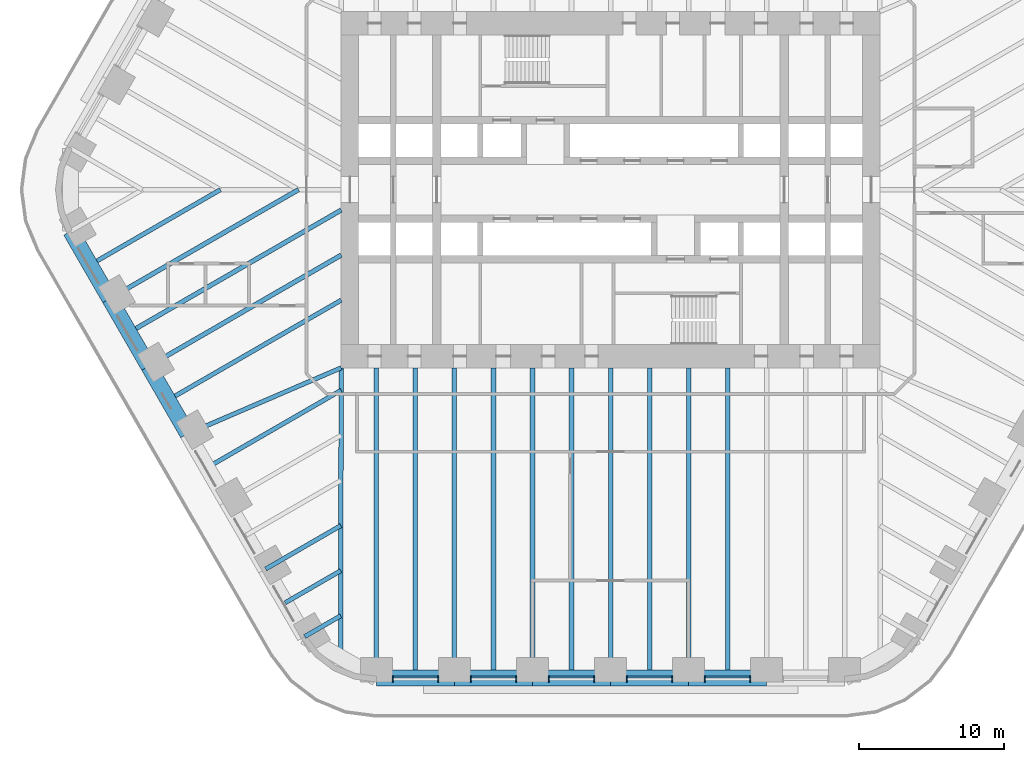
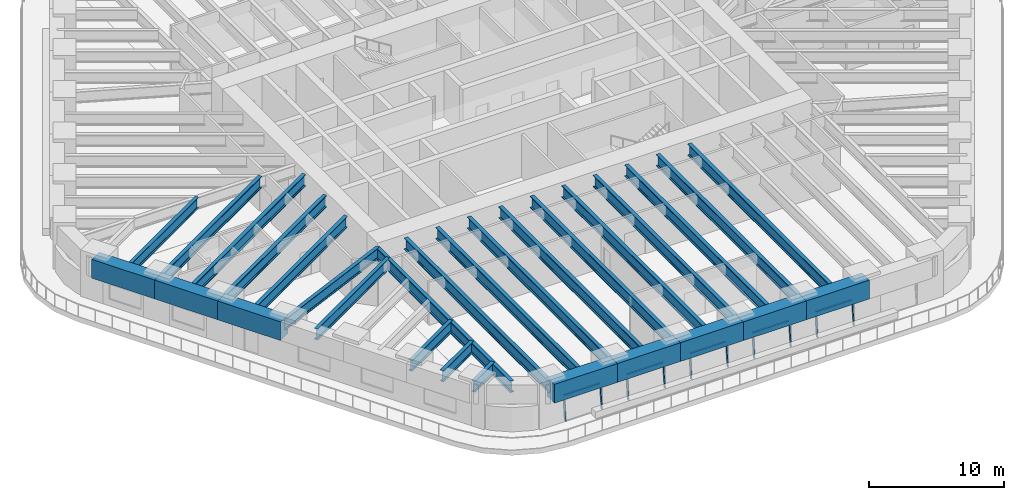
# One storey, part 2 of 16: 29 beams, 15 members, 5 elements without a shape of their own.
"""IFC4 building model written with IfcOpenShell, lengths in metres."""

import ifcopenshell
import ifcopenshell.guid

model = None  # the IFC model being written
_history = None  # IfcOwnerHistory: only IFC2X3 demands one
_inside = {}  # id of a spatial element -> (the spatial element, [elements in it])
_under = {}  # id of a project, library or spatial element -> (it, [spatial elements below it])
_declared = {}  # id of a project -> (the project, [libraries it declares])
_typed = {}  # id of a type object -> (the type object, [elements of that type])
_made_of = {}  # id of a material, layer set ... -> (it, [elements and type objects made of it])


def new_model(schema):
    """Start an empty IFC model of exactly this schema.

    Asked for "IFC4X3", IfcOpenShell would pick the latest addendum, in which some entities
    have other attributes; the version numbers below select the first issue.
    IFC2X3 requires an IfcOwnerHistory on every rooted entity: one is made here for all.
    """
    global model, _history
    if schema == "IFC4X3":
        model = ifcopenshell.file(schema_version=(4, 3, 0, 0))
    else:
        model = ifcopenshell.file(schema=schema)
    _inside.clear()
    _under.clear()
    _declared.clear()
    _typed.clear()
    _made_of.clear()
    _history = None
    if model.schema == "IFC2X3":
        org = make("IfcOrganization", Name="unknown")
        user = make(
            "IfcPersonAndOrganization",
            ThePerson=make("IfcPerson", FamilyName="unknown"),
            TheOrganization=org,
        )
        app = make(
            "IfcApplication",
            ApplicationDeveloper=org,
            Version="unknown",
            ApplicationFullName="unknown",
            ApplicationIdentifier="unknown",
        )
        _history = make(
            "IfcOwnerHistory",
            OwningUser=user,
            OwningApplication=app,
            ChangeAction="ADDED",
            CreationDate=0,
        )
    return model


def make(cls, **values):
    """One entity of the class cls with the attributes given. An attribute that is None is left unset."""
    return model.create_entity(
        cls, **{name: value for name, value in values.items() if value is not None}
    )


def rooted(cls, **values):
    """An entity with a GlobalId (a new one), such as an element, a storey or a relation."""
    return make(cls, GlobalId=ifcopenshell.guid.new(), OwnerHistory=_history, **values)


def si_unit(unit_type, name, prefix=None):
    """IfcSIUnit, for example si_unit("LENGTHUNIT", "METRE", prefix="MILLI")."""
    return make("IfcSIUnit", UnitType=unit_type, Prefix=prefix, Name=name)


def assignment(units):
    """IfcUnitAssignment: the units of a project."""
    return None if units is None else make("IfcUnitAssignment", Units=units)


def point(xyz):
    """IfcCartesianPoint."""
    return None if xyz is None else make("IfcCartesianPoint", Coordinates=xyz)


def direction(xyz):
    """IfcDirection."""
    return None if xyz is None else make("IfcDirection", DirectionRatios=xyz)


def frame(location, z_axis=None, x_axis=None):
    """IfcAxis2Placement3D, a coordinate frame: its origin and axes. An axis left out is left unset."""
    return make(
        "IfcAxis2Placement3D",
        Location=point(location),
        Axis=direction(z_axis),
        RefDirection=direction(x_axis),
    )


def frame_2d(location, x_axis=None):
    """IfcAxis2Placement2D, a coordinate frame in the plane: its origin and x axis."""
    return make(
        "IfcAxis2Placement2D", Location=point(location), RefDirection=direction(x_axis)
    )


def origin():
    """The frame at (0, 0, 0) with its axes left unset."""
    return frame((0.0, 0.0, 0.0))


def origin_2d():
    """The frame at (0, 0) in the plane with its x axis left unset."""
    return frame_2d((0.0, 0.0))


def place(relative_to, where):
    """IfcLocalPlacement: puts the frame where relative to a parent placement (None: the world)."""
    return make(
        "IfcLocalPlacement", PlacementRelTo=relative_to, RelativePlacement=where
    )


def context(
    kind, dimensions, precision=None, world=None, true_north=None, identifier=None
):
    """IfcGeometricRepresentationContext, for example the 3D "Model" context."""
    return make(
        "IfcGeometricRepresentationContext",
        ContextIdentifier=identifier,
        ContextType=kind,
        CoordinateSpaceDimension=dimensions,
        Precision=precision,
        WorldCoordinateSystem=world,
        TrueNorth=true_north,
    )


def subcontext(parent, identifier, kind, view, scale=None):
    """IfcGeometricRepresentationSubContext, for example "Body" below "Model"."""
    return make(
        "IfcGeometricRepresentationSubContext",
        ContextIdentifier=identifier,
        ContextType=kind,
        ParentContext=parent,
        TargetScale=scale,
        TargetView=view,
    )


def project(units=None, contexts=None):
    """IfcProject with its units and contexts."""
    return rooted(
        "IfcProject",
        Name="project",
        RepresentationContexts=contexts,
        UnitsInContext=assignment(units),
    )


def spatial(cls, under=None, at=None, **own):
    """A site, building, storey or space (cls), placed at a placement, below another one or the project."""
    s = rooted(cls, ObjectPlacement=at, **own)
    if under is not None:
        _under.setdefault(under.id(), (under, []))[1].append(s)
    return s


def profile(cls, at=None, kind="AREA", **sizes):
    """A parametric profile (cls). Its sizes go by their IFC names, for example OverallWidth=200.0."""
    return make(cls, ProfileType=kind, Position=at, **sizes)


def rectangle(**sizes):
    """IfcRectangleProfileDef."""
    return profile("IfcRectangleProfileDef", **sizes)


def i_section(**sizes):
    """IfcIShapeProfileDef."""
    return profile("IfcIShapeProfileDef", **sizes)


def extrude(swept, where, along, depth):
    """IfcExtrudedAreaSolid: the profile swept, set in the frame where, extruded along a direction by depth."""
    return make(
        "IfcExtrudedAreaSolid",
        SweptArea=swept,
        Position=where,
        ExtrudedDirection=direction(along),
        Depth=depth,
    )


def shape(context_of_items, identifier, shape_type, items):
    """IfcShapeRepresentation: the items that make up one representation, for example the "Body"."""
    return make(
        "IfcShapeRepresentation",
        ContextOfItems=context_of_items,
        RepresentationIdentifier=identifier,
        RepresentationType=shape_type,
        Items=items,
    )


def material(Name=None, Category=None):
    """IfcMaterial."""
    return make("IfcMaterial", Name=Name, Category=Category)


def material_profile(
    of_material, cross_section, Name=None, Category=None, Priority=None
):
    """IfcMaterialProfile: a cross section and its material."""
    return make(
        "IfcMaterialProfile",
        Name=Name,
        Material=of_material,
        Profile=cross_section,
        Priority=Priority,
        Category=Category,
    )


def profile_set(profiles, Name=None, composite=None):
    """IfcMaterialProfileSet."""
    return make(
        "IfcMaterialProfileSet",
        Name=Name,
        MaterialProfiles=profiles,
        CompositeProfile=composite,
    )


def made_of(thing, what):
    """Note that an element or type object is made of a material, layer set ...; save() writes the relation."""
    if what is not None:
        _made_of.setdefault(what.id(), (what, []))[1].append(thing)
    return thing


def type_object(cls, material=None, **own):
    """A type object (cls), such as IfcWallType, which elements share."""
    return made_of(rooted(cls, **own), material)


def element(
    cls,
    number,
    at=None,
    inside=None,
    cuts=None,
    type_object=None,
    material=None,
    context=None,
    identifier="Body",
    shape_type=None,
    held_by="IfcProductDefinitionShape",
    body=None,
    shapes=None,
    **own,
):
    """One element of the class cls, such as IfcWall. Its Tag is "e" and its number.

    at: its placement. inside: the storey or other place that contains it. cuts: it is an
    opening in that element (IfcRelVoidsElement). A single representation is given by context,
    identifier, shape_type and body (its items); several are given by shapes. held_by: the class
    of the entity that holds the representations. save() writes the other relations.
    """
    e = rooted(cls, Tag="e%d" % number, ObjectPlacement=at, **own)
    if body is not None:
        shapes = [shape(context, identifier, shape_type, body)]
    if shapes is not None:
        e.Representation = make(held_by, Representations=shapes)
    if inside is not None:
        _inside.setdefault(inside.id(), (inside, []))[1].append(e)
    if cuts is not None:
        rooted(
            "IfcRelVoidsElement", RelatingBuildingElement=cuts, RelatedOpeningElement=e
        )
    if type_object is not None:
        _typed.setdefault(type_object.id(), (type_object, []))[1].append(e)
    return made_of(e, material)


def aggregate(whole, parts):
    """IfcRelAggregates: a whole, such as a stair, and the parts it consists of."""
    return rooted("IfcRelAggregates", RelatingObject=whole, RelatedObjects=parts)


def save(model, path):
    """Write the relations noted so far, then the file.

    IfcRelAggregates (storeys below a building ...), IfcRelContainedInSpatialStructure (elements
    in a storey), IfcRelDefinesByType, IfcRelAssociatesMaterial and IfcRelDeclares: one each for
    every whole, place, type object, material and project.
    """
    for whole, parts in _under.values():
        aggregate(whole, parts)
    for where, things in _inside.values():
        rooted(
            "IfcRelContainedInSpatialStructure",
            RelatedElements=things,
            RelatingStructure=where,
        )
    for kind, things in _typed.values():
        rooted("IfcRelDefinesByType", RelatedObjects=things, RelatingType=kind)
    for what, things in _made_of.values():
        rooted("IfcRelAssociatesMaterial", RelatedObjects=things, RelatingMaterial=what)
    for by, libraries in _declared.values():
        rooted("IfcRelDeclares", RelatingContext=by, RelatedDefinitions=libraries)
    model.write(path)


model = new_model("IFC4")

# Units and contexts
model_context = context("Model", 3, precision=1e-05, world=origin(), true_north=direction((0.0, 1.0)))
body_context = subcontext(model_context, "Body", "Model", "MODEL_VIEW")
ifc_project = project(units=[si_unit("LENGTHUNIT", "METRE"), si_unit("AREAUNIT", "SQUARE_METRE"), si_unit("VOLUMEUNIT", "CUBIC_METRE"), si_unit("PLANEANGLEUNIT", "RADIAN"), si_unit("MASSUNIT", "GRAM", prefix="KILO")], contexts=[model_context])

# Site, building, storey
site_placement = place(None, origin())
site = spatial("IfcSite", under=ifc_project, at=site_placement, CompositionType="ELEMENT")
building_placement = place(site_placement, origin())
building = spatial("IfcBuilding", under=site, at=building_placement, Name="Tarfa Lantern Tower", CompositionType="ELEMENT")
storey_placement = place(building_placement, frame((0.0, 0.0, 103.300048828125)))
storey = spatial("IfcBuildingStorey", under=building, at=storey_placement, Name="L23", CompositionType="ELEMENT", Elevation=103.300048828125)

# Curtain wall, members
ifc_material_1 = material(Name="Aluminium framed curtain wall", Category="aluminium")
curtain_wall_type = type_object("IfcCurtainWallType", Name="CW1 CANTED GLAZING LOW ZONE 2200", PredefinedType="USERDEFINED", material=ifc_material_1)
curtain_wall_1_placement = place(storey_placement, origin())
curtain_wall_1 = element("IfcCurtainWall", 1, at=curtain_wall_1_placement, inside=storey, type_object=curtain_wall_type, Name="CW1 S L23", ObjectType="CURTAIN WALL", PredefinedType="USERDEFINED")
ifc_material_2 = material(Name="Aluminium mullion", Category="aluminium")
ifc_material_profile_1 = material_profile(ifc_material_2, rectangle(XDim=0.06494140625, YDim=0.199951171875, at=origin_2d()), Name="AL MULLION 65x200")
ifc_profile_set_1 = profile_set([ifc_material_profile_1], Name="Aluminium mullion")
member_type_1 = type_object("IfcMemberType", Name="CWM1 MULLION 65x200", PredefinedType="MULLION", material=ifc_profile_set_1)
member_1_placement = place(storey_placement, frame((-15.033203125, -33.89990234375, 0.0), z_axis=(0.0, 0.112912162136, 0.99360497364), x_axis=(-1.0, 0.0, 0.0)))
member_1 = element("IfcMember", 2, at=member_1_placement, type_object=member_type_1, Name="CW1 mullion 1", PredefinedType="MULLION", context=body_context, shape_type="SweptSolid", body=[
    extrude(rectangle(XDim=0.06494140625, YDim=0.199951171875, at=origin_2d()), origin(), (0.0, 0.0, 1.0), 2.214111328125),
])
member_2_placement = place(storey_placement, frame((-11.90966796875, -33.89990234375, 0.0), z_axis=(0.0, 0.112912162136, 0.99360497364), x_axis=(-1.0, 0.0, 0.0)))
member_2 = element("IfcMember", 3, at=member_2_placement, type_object=member_type_1, Name="CW1 mullion 2", PredefinedType="MULLION", context=body_context, shape_type="SweptSolid", body=[
    extrude(rectangle(XDim=0.06494140625, YDim=0.199951171875, at=origin_2d()), origin(), (0.0, 0.0, 1.0), 2.214111328125),
])

curtain_wall_2_placement = place(storey_placement, origin())
curtain_wall_2 = element("IfcCurtainWall", 4, at=curtain_wall_2_placement, inside=storey, type_object=curtain_wall_type, Name="CW1 S L23", ObjectType="CURTAIN WALL", PredefinedType="USERDEFINED")
member_3_placement = place(storey_placement, frame((-9.644775390625, -33.89990234375, 0.0), z_axis=(0.0, 0.112912162136, 0.99360497364), x_axis=(-1.0, 0.0, 0.0)))
member_3 = element("IfcMember", 5, at=member_3_placement, type_object=member_type_1, Name="CW1 mullion 1", PredefinedType="MULLION", context=body_context, shape_type="SweptSolid", body=[
    extrude(rectangle(XDim=0.06494140625, YDim=0.199951171875, at=origin_2d()), origin(), (0.0, 0.0, 1.0), 2.214111328125),
])
member_4_placement = place(storey_placement, frame((-6.52099609375, -33.89990234375, 0.0), z_axis=(0.0, 0.112912162136, 0.99360497364), x_axis=(-1.0, 0.0, 0.0)))
member_4 = element("IfcMember", 6, at=member_4_placement, type_object=member_type_1, Name="CW1 mullion 2", PredefinedType="MULLION", context=body_context, shape_type="SweptSolid", body=[
    extrude(rectangle(XDim=0.06494140625, YDim=0.199951171875, at=origin_2d()), origin(), (0.0, 0.0, 1.0), 2.214111328125),
])

curtain_wall_3_placement = place(storey_placement, origin())
curtain_wall_3 = element("IfcCurtainWall", 7, at=curtain_wall_3_placement, inside=storey, type_object=curtain_wall_type, Name="CW1 S L23", ObjectType="CURTAIN WALL", PredefinedType="USERDEFINED")
member_5_placement = place(storey_placement, frame((-4.256103515625, -33.89990234375, 0.0), z_axis=(0.0, 0.112912162136, 0.99360497364), x_axis=(-1.0, 0.0, 0.0)))
member_5 = element("IfcMember", 8, at=member_5_placement, type_object=member_type_1, Name="CW1 mullion 1", PredefinedType="MULLION", context=body_context, shape_type="SweptSolid", body=[
    extrude(rectangle(XDim=0.06494140625, YDim=0.199951171875, at=origin_2d()), origin(), (0.0, 0.0, 1.0), 2.214111328125),
])
member_6_placement = place(storey_placement, frame((-1.132568359375, -33.89990234375, 0.0), z_axis=(0.0, 0.112912162136, 0.99360497364), x_axis=(-1.0, 0.0, 0.0)))
member_6 = element("IfcMember", 9, at=member_6_placement, type_object=member_type_1, Name="CW1 mullion 2", PredefinedType="MULLION", context=body_context, shape_type="SweptSolid", body=[
    extrude(rectangle(XDim=0.06494140625, YDim=0.199951171875, at=origin_2d()), origin(), (0.0, 0.0, 1.0), 2.214111328125),
])

curtain_wall_4_placement = place(storey_placement, origin())
curtain_wall_4 = element("IfcCurtainWall", 10, at=curtain_wall_4_placement, inside=storey, type_object=curtain_wall_type, Name="CW1 S L23", ObjectType="CURTAIN WALL", PredefinedType="USERDEFINED")
member_7_placement = place(storey_placement, frame((1.132568359375, -33.89990234375, 0.0), z_axis=(0.0, 0.112912162136, 0.99360497364), x_axis=(-1.0, 0.0, 0.0)))
member_7 = element("IfcMember", 11, at=member_7_placement, type_object=member_type_1, Name="CW1 mullion 1", PredefinedType="MULLION", context=body_context, shape_type="SweptSolid", body=[
    extrude(rectangle(XDim=0.06494140625, YDim=0.199951171875, at=origin_2d()), origin(), (0.0, 0.0, 1.0), 2.214111328125),
])
member_8_placement = place(storey_placement, frame((4.256103515625, -33.89990234375, 0.0), z_axis=(0.0, 0.112912162136, 0.99360497364), x_axis=(-1.0, 0.0, 0.0)))
member_8 = element("IfcMember", 12, at=member_8_placement, type_object=member_type_1, Name="CW1 mullion 2", PredefinedType="MULLION", context=body_context, shape_type="SweptSolid", body=[
    extrude(rectangle(XDim=0.06494140625, YDim=0.199951171875, at=origin_2d()), origin(), (0.0, 0.0, 1.0), 2.214111328125),
])

curtain_wall_5_placement = place(storey_placement, origin())
curtain_wall_5 = element("IfcCurtainWall", 13, at=curtain_wall_5_placement, inside=storey, type_object=curtain_wall_type, Name="CW1 S L23", ObjectType="CURTAIN WALL", PredefinedType="USERDEFINED")
member_9_placement = place(storey_placement, frame((6.52099609375, -33.89990234375, 0.0), z_axis=(0.0, 0.112912162136, 0.99360497364), x_axis=(-1.0, 0.0, 0.0)))
member_9 = element("IfcMember", 14, at=member_9_placement, type_object=member_type_1, Name="CW1 mullion 1", PredefinedType="MULLION", context=body_context, shape_type="SweptSolid", body=[
    extrude(rectangle(XDim=0.06494140625, YDim=0.199951171875, at=origin_2d()), origin(), (0.0, 0.0, 1.0), 2.214111328125),
])
member_10_placement = place(storey_placement, frame((9.644775390625, -33.89990234375, 0.0), z_axis=(0.0, 0.112912162136, 0.99360497364), x_axis=(-1.0, 0.0, 0.0)))
member_10 = element("IfcMember", 15, at=member_10_placement, type_object=member_type_1, Name="CW1 mullion 2", PredefinedType="MULLION", context=body_context, shape_type="SweptSolid", body=[
    extrude(rectangle(XDim=0.06494140625, YDim=0.199951171875, at=origin_2d()), origin(), (0.0, 0.0, 1.0), 2.214111328125),
])

# Member
ifc_material_3 = material(Name="Aluminium transom", Category="aluminium")
ifc_material_profile_2 = material_profile(ifc_material_3, rectangle(XDim=0.14990234375, YDim=0.06494140625, at=origin_2d()), Name="AL TRANSOM 150x65")
ifc_profile_set_2 = profile_set([ifc_material_profile_2], Name="Aluminium transom")
member_type_2 = type_object("IfcMemberType", Name="CWT1 TRANSOM 150x65", PredefinedType="USERDEFINED", material=ifc_profile_set_2)
member_11_placement = place(storey_placement, frame((-15.000732421875, -33.65380859375, 2.16748046875), z_axis=(1.0, 0.0, 0.0), x_axis=(0.0, 1.0, 0.0)))
member_11 = element("IfcMember", 16, at=member_11_placement, type_object=member_type_2, Name="CW1 transom 1.2", ObjectType="TRANSOM", PredefinedType="USERDEFINED", context=body_context, shape_type="SweptSolid", body=[
    extrude(rectangle(XDim=0.14990234375, YDim=0.06494140625, at=origin_2d()), origin(), (0.0, 0.0, 1.0), 3.05859375),
])

aggregate(curtain_wall_1, [member_1, member_2, member_11])

member_12_placement = place(storey_placement, frame((-9.6123046875, -33.65380859375, 2.16748046875), z_axis=(1.0, 0.0, 0.0), x_axis=(0.0, 1.0, 0.0)))
member_12 = element("IfcMember", 17, at=member_12_placement, type_object=member_type_2, Name="CW1 transom 1.2", ObjectType="TRANSOM", PredefinedType="USERDEFINED", context=body_context, shape_type="SweptSolid", body=[
    extrude(rectangle(XDim=0.14990234375, YDim=0.06494140625, at=origin_2d()), origin(), (0.0, 0.0, 1.0), 3.05859375),
])

aggregate(curtain_wall_2, [member_3, member_4, member_12])

member_13_placement = place(storey_placement, frame((-4.2236328125, -33.65380859375, 2.16748046875), z_axis=(1.0, 0.0, 0.0), x_axis=(0.0, 1.0, 0.0)))
member_13 = element("IfcMember", 18, at=member_13_placement, type_object=member_type_2, Name="CW1 transom 1.2", ObjectType="TRANSOM", PredefinedType="USERDEFINED", context=body_context, shape_type="SweptSolid", body=[
    extrude(rectangle(XDim=0.14990234375, YDim=0.06494140625, at=origin_2d()), origin(), (0.0, 0.0, 1.0), 3.05859375),
])

aggregate(curtain_wall_3, [member_5, member_6, member_13])

member_14_placement = place(storey_placement, frame((1.1650390625, -33.65380859375, 2.16748046875), z_axis=(1.0, 0.0, 0.0), x_axis=(0.0, 1.0, 0.0)))
member_14 = element("IfcMember", 19, at=member_14_placement, type_object=member_type_2, Name="CW1 transom 1.2", ObjectType="TRANSOM", PredefinedType="USERDEFINED", context=body_context, shape_type="SweptSolid", body=[
    extrude(rectangle(XDim=0.14990234375, YDim=0.06494140625, at=origin_2d()), origin(), (0.0, 0.0, 1.0), 3.05859375),
])

aggregate(curtain_wall_4, [member_7, member_8, member_14])

member_15_placement = place(storey_placement, frame((6.5537109375, -33.65380859375, 2.16748046875), z_axis=(1.0, 0.0, 0.0), x_axis=(0.0, 1.0, 0.0)))
member_15 = element("IfcMember", 20, at=member_15_placement, type_object=member_type_2, Name="CW1 transom 1.2", ObjectType="TRANSOM", PredefinedType="USERDEFINED", context=body_context, shape_type="SweptSolid", body=[
    extrude(rectangle(XDim=0.14990234375, YDim=0.06494140625, at=origin_2d()), origin(), (0.0, 0.0, 1.0), 3.05859375),
])

aggregate(curtain_wall_5, [member_9, member_10, member_15])

# Beams
ifc_material_4 = material(Name="Concrete C80/95", Category="concrete")
ifc_material_profile_3 = material_profile(ifc_material_4, rectangle(XDim=1.10009765625, YDim=1.699951171875, at=origin_2d()), Name="RC 1100x1700")
ifc_profile_set_3 = profile_set([ifc_material_profile_3], Name="Concrete C80/95")
beam_type_1 = type_object("IfcBeamType", Name="RB1 RC 1100x1700", PredefinedType="BEAM", material=ifc_profile_set_3)
beam_1_placement = place(storey_placement, frame((-37.285400390625, -2.860107421875, 3.050048828125), z_axis=(0.500017906299, -0.866015065331, 0.0), x_axis=(0.866015065331, 0.500017906299, 0.0)))
element("IfcBeam", 21, at=beam_1_placement, inside=storey, type_object=beam_type_1, Name="Edge beam SW0", PredefinedType="BEAM", context=body_context, shape_type="SweptSolid", body=[
    extrude(rectangle(XDim=1.10009765625, YDim=1.699951171875, at=origin_2d()), origin(), (0.0, 0.0, 1.0), 5.388427734375),
])
for number, where, z_axis, x_axis, name in (
    (22, (-34.591064453125, -7.526611328125, 3.050048828125), (0.499998287579, -0.866026392449, 0.0), (0.866026392449, 0.499998287579, 0.0), "Edge beam SW1"),
    (23, (-31.896728515625, -12.193359375, 3.050048828125), (0.499998287579, -0.866026392449, 0.0), (0.866026392449, 0.499998287579, 0.0), "Edge beam SW2"),
    (24, (-16.165771484375, -33.719970703125, 3.050048828125), (1.0, 0.0, 0.0), (0.0, 1.0, 0.0), "Edge beam S0"),
):
    element("IfcBeam", number, at=place(storey_placement, frame(where, z_axis=z_axis, x_axis=x_axis)), inside=storey, type_object=beam_type_1, Name=name, PredefinedType="BEAM", context=body_context, shape_type="SweptSolid", body=[
        extrude(rectangle(XDim=1.10009765625, YDim=1.699951171875, at=origin_2d()), origin(), (0.0, 0.0, 1.0), 5.388671875),
    ])
beam_2_placement = place(storey_placement, frame((-10.777099609375, -33.719970703125, 3.050048828125), z_axis=(1.0, 0.0, 0.0), x_axis=(0.0, 1.0, 0.0)))
element("IfcBeam", 25, at=beam_2_placement, inside=storey, type_object=beam_type_1, Name="Edge beam S1", PredefinedType="BEAM", context=body_context, shape_type="SweptSolid", body=[
    extrude(rectangle(XDim=1.10009765625, YDim=1.699951171875, at=origin_2d()), origin(), (0.0, 0.0, 1.0), 5.388427734375),
])
for number, where, z_axis, x_axis, name in (
    (26, (-5.388671875, -33.719970703125, 3.050048828125), (1.0, 0.0, 0.0), (0.0, 1.0, 0.0), "Edge beam S2"),
    (27, (0.0, -33.719970703125, 3.050048828125), (1.0, 0.0, 0.0), (0.0, 1.0, 0.0), "Edge beam S3"),
):
    element("IfcBeam", number, at=place(storey_placement, frame(where, z_axis=z_axis, x_axis=x_axis)), inside=storey, type_object=beam_type_1, Name=name, PredefinedType="BEAM", context=body_context, shape_type="SweptSolid", body=[
        extrude(rectangle(XDim=1.10009765625, YDim=1.699951171875, at=origin_2d()), origin(), (0.0, 0.0, 1.0), 5.388671875),
    ])
beam_3_placement = place(storey_placement, frame((5.388671875, -33.719970703125, 3.050048828125), z_axis=(1.0, 0.0, 0.0), x_axis=(0.0, 1.0, 0.0)))
element("IfcBeam", 28, at=beam_3_placement, inside=storey, type_object=beam_type_1, Name="Edge beam S4", PredefinedType="BEAM", context=body_context, shape_type="SweptSolid", body=[
    extrude(rectangle(XDim=1.10009765625, YDim=1.699951171875, at=origin_2d()), origin(), (0.0, 0.0, 1.0), 5.388427734375),
])
ifc_material_5 = material(Name="Steel S460M", Category="steel")
ifc_material_profile_4 = material_profile(ifc_material_5, i_section(OverallWidth=0.302001953125, OverallDepth=1.008056640625, WebThickness=0.02099609375, FlangeThickness=0.0400390625, FilletRadius=0.030029296875, at=origin_2d()), Name="UB1016x305x349")
ifc_profile_set_4 = profile_set([ifc_material_profile_4], Name="Steel S460M")
beam_type_2 = type_object("IfcBeamType", Name="UB1016x305x349", PredefinedType="BEAM", material=ifc_profile_set_4)
beam_4_placement = place(storey_placement, frame((-29.202392578125, -16.860107421875, 3.39599609375), z_axis=(0.918635483867, 0.395106122175, 0.0), x_axis=(-0.395106122175, 0.918635483867, 0.0)))
element("IfcBeam", 29, at=beam_4_placement, inside=storey, type_object=beam_type_2, Name="Floor beam SW3", PredefinedType="BEAM", context=body_context, shape_type="SweptSolid", body=[
    extrude(i_section(OverallWidth=0.302001953125, OverallDepth=1.008056640625, WebThickness=0.02099609375, FlangeThickness=0.0400390625, FilletRadius=0.030029296875, at=origin_2d()), origin(), (0.0, 0.0, 1.0), 11.541259765625),
])
beam_5_placement = place(storey_placement, frame((-23.813720703125, -26.193359375, 3.39599609375), z_axis=(0.866015997389, 0.500016292001, 0.0), x_axis=(-0.500016292001, 0.866015997389, 0.0)))
element("IfcBeam", 30, at=beam_5_placement, inside=storey, type_object=beam_type_2, Name="Floor beam SW5", PredefinedType="BEAM", context=body_context, shape_type="SweptSolid", body=[
    extrude(i_section(OverallWidth=0.302001953125, OverallDepth=1.008056640625, WebThickness=0.02099609375, FlangeThickness=0.0400390625, FilletRadius=0.030029296875, at=origin_2d()), origin(), (0.0, 0.0, 1.0), 5.993408203125),
])
beam_6_placement = place(storey_placement, frame((-21.119384765625, -30.860107421875, 3.39599609375), z_axis=(0.866012580594, 0.500022209759, 0.0), x_axis=(-0.500022209759, 0.866012580594, 0.0)))
element("IfcBeam", 31, at=beam_6_placement, inside=storey, type_object=beam_type_2, Name="Floor beam SW6", PredefinedType="BEAM", context=body_context, shape_type="SweptSolid", body=[
    extrude(i_section(OverallWidth=0.302001953125, OverallDepth=1.008056640625, WebThickness=0.02099609375, FlangeThickness=0.0400390625, FilletRadius=0.030029296875, at=origin_2d()), origin(), (0.0, 0.0, 1.0), 2.866943359375),
])
beam_7_placement = place(storey_placement, frame((-35.938232421875, -5.193359375, 3.39599609375), z_axis=(0.866024317969, 0.500001880682, 0.0), x_axis=(-0.500001880682, 0.866024317969, 0.0)))
element("IfcBeam", 32, at=beam_7_placement, inside=storey, type_object=beam_type_2, Name="Floor beam SW0M", PredefinedType="BEAM", context=body_context, shape_type="SweptSolid", body=[
    extrude(i_section(OverallWidth=0.302001953125, OverallDepth=1.008056640625, WebThickness=0.02099609375, FlangeThickness=0.0400390625, FilletRadius=0.030029296875, at=origin_2d()), origin(), (0.0, 0.0, 1.0), 10.38671875),
])
beam_8_placement = place(storey_placement, frame((-30.549560546875, -14.526611328125, 3.39599609375), z_axis=(0.866028536827, 0.499994573371, 0.0), x_axis=(-0.499994573371, 0.866028536827, 0.0)))
element("IfcBeam", 33, at=beam_8_placement, inside=storey, type_object=beam_type_2, Name="Floor beam SW2M", PredefinedType="BEAM", context=body_context, shape_type="SweptSolid", body=[
    extrude(i_section(OverallWidth=0.302001953125, OverallDepth=1.008056640625, WebThickness=0.02099609375, FlangeThickness=0.0400390625, FilletRadius=0.030029296875, at=origin_2d()), origin(), (0.0, 0.0, 1.0), 13.798095703125),
])
beam_9_placement = place(storey_placement, frame((-27.855224609375, -19.193359375, 3.39599609375), z_axis=(0.866028034017, 0.499995444275, 0.0), x_axis=(-0.499995444275, 0.866028034017, 0.0)))
element("IfcBeam", 34, at=beam_9_placement, inside=storey, type_object=beam_type_2, Name="Floor beam SW3M", PredefinedType="BEAM", context=body_context, shape_type="SweptSolid", body=[
    extrude(i_section(OverallWidth=0.302001953125, OverallDepth=1.008056640625, WebThickness=0.02099609375, FlangeThickness=0.0400390625, FilletRadius=0.030029296875, at=origin_2d()), origin(), (0.0, 0.0, 1.0), 10.68310546875),
])
beam_10_placement = place(storey_placement, frame((-22.466552734375, -28.526611328125, 3.39599609375), z_axis=(0.866026823135, 0.499997541604, 0.0), x_axis=(-0.499997541604, 0.866026823135, 0.0)))
element("IfcBeam", 35, at=beam_10_placement, inside=storey, type_object=beam_type_2, Name="Floor beam SW5M", PredefinedType="BEAM", context=body_context, shape_type="SweptSolid", body=[
    extrude(i_section(OverallWidth=0.302001953125, OverallDepth=1.008056640625, WebThickness=0.02099609375, FlangeThickness=0.0400390625, FilletRadius=0.030029296875, at=origin_2d()), origin(), (0.0, 0.0, 1.0), 4.43017578125),
])
ifc_material_profile_5 = material_profile(ifc_material_5, i_section(OverallWidth=0.314208984375, OverallDepth=1.055908203125, WebThickness=0.035888671875, FlangeThickness=0.06396484375, FilletRadius=0.030029296875, at=origin_2d()), Name="UB1016x305x584")
ifc_profile_set_5 = profile_set([ifc_material_profile_5], Name="Steel S460M")
beam_type_3 = type_object("IfcBeamType", Name="UB1016x305x584", PredefinedType="BEAM", material=ifc_profile_set_5)
beam_11_placement = place(storey_placement, frame((-18.60009765625, -12.300048828125, 3.3720703125), z_axis=(-0.00212508222, -0.99999774201, 0.0), x_axis=(0.99999774201, -0.00212508222, 0.0)))
element("IfcBeam", 36, at=beam_11_placement, inside=storey, type_object=beam_type_3, Name="Hip girder SW", PredefinedType="BEAM", context=body_context, shape_type="SweptSolid", body=[
    extrude(i_section(OverallWidth=0.314208984375, OverallDepth=1.055908203125, WebThickness=0.035888671875, FlangeThickness=0.06396484375, FilletRadius=0.030029296875, at=origin_2d()), origin(), (0.0, 0.0, 1.0), 19.989990234375),
])
beam_12_placement = place(storey_placement, frame((-34.591064453125, -7.526611328125, 3.3720703125), z_axis=(0.86602785945, 0.499995746638, 0.0), x_axis=(-0.499995746638, 0.86602785945, 0.0)))
element("IfcBeam", 37, at=beam_12_placement, inside=storey, type_object=beam_type_3, Name="Floor beam SW1", PredefinedType="BEAM", context=body_context, shape_type="SweptSolid", body=[
    extrude(i_section(OverallWidth=0.314208984375, OverallDepth=1.055908203125, WebThickness=0.035888671875, FlangeThickness=0.06396484375, FilletRadius=0.030029296875, at=origin_2d()), origin(), (0.0, 0.0, 1.0), 15.053466796875),
])
beam_13_placement = place(storey_placement, frame((-31.896728515625, -12.193359375, 3.3720703125), z_axis=(0.866026971665, 0.499997284341, 0.0), x_axis=(-0.499997284341, 0.866026971665, 0.0)))
element("IfcBeam", 38, at=beam_13_placement, inside=storey, type_object=beam_type_3, Name="Floor beam SW2", PredefinedType="BEAM", context=body_context, shape_type="SweptSolid", body=[
    extrude(i_section(OverallWidth=0.314208984375, OverallDepth=1.055908203125, WebThickness=0.035888671875, FlangeThickness=0.06396484375, FilletRadius=0.030029296875, at=origin_2d()), origin(), (0.0, 0.0, 1.0), 15.353515625),
])
for number, where, z_axis, x_axis, name in (
    (39, (-16.165771484375, -33.719970703125, 3.3720703125), (0.0, 1.0, 0.0), (-1.0, 0.0, 0.0), "Floor beam S0"),
    (40, (-10.777099609375, -33.719970703125, 3.3720703125), (0.0, 1.0, 0.0), (-1.0, 0.0, 0.0), "Floor beam S1"),
    (41, (-5.388671875, -33.719970703125, 3.3720703125), (0.0, 1.0, 0.0), (-1.0, 0.0, 0.0), "Floor beam S2"),
    (42, (0.0, -33.719970703125, 3.3720703125), (0.0, 1.0, 0.0), (-1.0, 0.0, 0.0), "Floor beam S3"),
    (43, (5.388671875, -33.719970703125, 3.3720703125), (0.0, 1.0, 0.0), (-1.0, 0.0, 0.0), "Floor beam S4"),
):
    element("IfcBeam", number, at=place(storey_placement, frame(where, z_axis=z_axis, x_axis=x_axis)), inside=storey, type_object=beam_type_3, Name=name, PredefinedType="BEAM", context=body_context, shape_type="SweptSolid", body=[
        extrude(i_section(OverallWidth=0.314208984375, OverallDepth=1.055908203125, WebThickness=0.035888671875, FlangeThickness=0.06396484375, FilletRadius=0.030029296875, at=origin_2d()), origin(), (0.0, 0.0, 1.0), 21.419921875),
    ])
beam_14_placement = place(storey_placement, frame((-33.243896484375, -9.860107421875, 3.3720703125), z_axis=(0.866019442478, 0.500010325144, 0.0), x_axis=(-0.500010325144, 0.866019442478, 0.0)))
element("IfcBeam", 44, at=beam_14_placement, inside=storey, type_object=beam_type_3, Name="Floor beam SW1M", PredefinedType="BEAM", context=body_context, shape_type="SweptSolid", body=[
    extrude(i_section(OverallWidth=0.314208984375, OverallDepth=1.055908203125, WebThickness=0.035888671875, FlangeThickness=0.06396484375, FilletRadius=0.030029296875, at=origin_2d()), origin(), (0.0, 0.0, 1.0), 16.909423828125),
])
for number, where, z_axis, x_axis, name in (
    (45, (-13.471435546875, -33.719970703125, 3.3720703125), (0.0, 1.0, 0.0), (-1.0, 0.0, 0.0), "Floor beam S0M"),
    (46, (-8.0830078125, -33.719970703125, 3.3720703125), (0.0, 1.0, 0.0), (-1.0, 0.0, 0.0), "Floor beam S1M"),
    (47, (-2.6943359375, -33.719970703125, 3.3720703125), (0.0, 1.0, 0.0), (-1.0, 0.0, 0.0), "Floor beam S2M"),
    (48, (2.6943359375, -33.719970703125, 3.3720703125), (0.0, 1.0, 0.0), (-1.0, 0.0, 0.0), "Floor beam S3M"),
    (49, (8.0830078125, -33.719970703125, 3.3720703125), (0.0, 1.0, 0.0), (-1.0, 0.0, 0.0), "Floor beam S4M"),
):
    element("IfcBeam", number, at=place(storey_placement, frame(where, z_axis=z_axis, x_axis=x_axis)), inside=storey, type_object=beam_type_3, Name=name, PredefinedType="BEAM", context=body_context, shape_type="SweptSolid", body=[
        extrude(i_section(OverallWidth=0.314208984375, OverallDepth=1.055908203125, WebThickness=0.035888671875, FlangeThickness=0.06396484375, FilletRadius=0.030029296875, at=origin_2d()), origin(), (0.0, 0.0, 1.0), 21.419921875),
    ])

save(model, "model.ifc")
